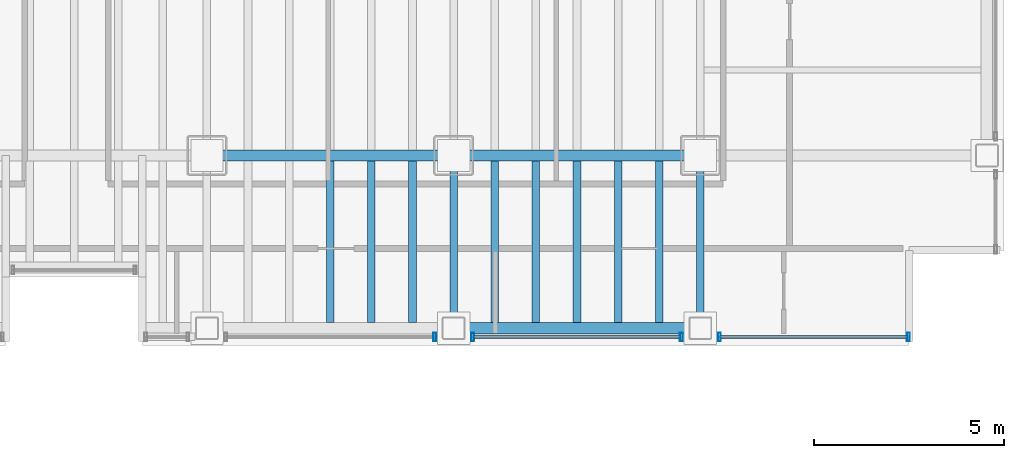
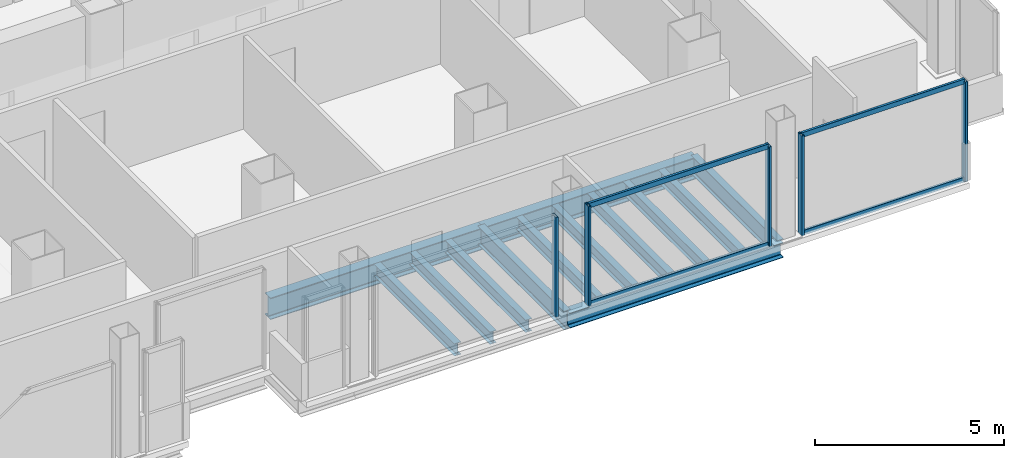
# One storey, part 9 of 21: 13 beams, 9 members, 3 elements without a shape of their own.
"""IFC4 building model written with IfcOpenShell, lengths in metres."""

from ifc_helpers import new_model, si_unit, direction, frame, origin, origin_2d, place, context, subcontext, project, spatial, hollow_rectangle, i_section, extrude, material, material_profile, profile_set, type_object, element, aggregate, save


model = new_model("IFC4")

# Units and contexts
model_context = context("Model", 3, precision=1e-05, world=origin(), true_north=direction((0.0, 1.0)))
body_context = subcontext(model_context, "Body", "Model", "MODEL_VIEW")
ifc_project = project(units=[si_unit("LENGTHUNIT", "METRE"), si_unit("AREAUNIT", "SQUARE_METRE"), si_unit("VOLUMEUNIT", "CUBIC_METRE"), si_unit("PLANEANGLEUNIT", "RADIAN"), si_unit("MASSUNIT", "GRAM", prefix="KILO")], contexts=[model_context])

# Site, building, storey
site_placement = place(None, origin())
site = spatial("IfcSite", under=ifc_project, at=site_placement, CompositionType="ELEMENT")
building_placement = place(site_placement, origin())
building = spatial("IfcBuilding", under=site, at=building_placement, Name="Noeulbin Bourse Tower", CompositionType="ELEMENT")
storey_placement = place(building_placement, frame((0.0, 0.0, 34.300048828125)))
storey = spatial("IfcBuildingStorey", under=building, at=storey_placement, Name="L08", CompositionType="ELEMENT", Elevation=34.300048828125)

# Beams
ifc_material_1 = material(Name="Steel S355", Category="steel")
ifc_material_profile_1 = material_profile(ifc_material_1, i_section(OverallWidth=0.199951171875, OverallDepth=0.60009765625, WebThickness=0.010986328125, FlangeThickness=0.01708984375, FilletRadius=0.02197265625, at=origin_2d()), Name="H-600x200x11x17", Category="LoadBearing")
ifc_profile_set_1 = profile_set([ifc_material_profile_1], Name="Steel S355")
beam_type_1 = type_object("IfcBeamType", Name="BM-GRD-600", PredefinedType="USERDEFINED", material=ifc_profile_set_1)
for number, where, z_axis, x_axis, name in (
    (1, (37.5, 15.449951171875, -0.47998046875), (0.0, 1.0, 0.0), (-1.0, 0.0, 0.0), "Tower Primary Girder NS L08-4.1"),
    (2, (44.0, 15.449951171875, -0.47998046875), (0.0, 1.0, 0.0), (-1.0, 0.0, 0.0), "Tower Primary Girder NS L08-5.1"),
):
    element("IfcBeam", number, at=place(storey_placement, frame(where, z_axis=z_axis, x_axis=x_axis)), inside=storey, type_object=beam_type_1, Name=name, ObjectType="GIRDER", PredefinedType="USERDEFINED", context=body_context, shape_type="SweptSolid", body=[
        extrude(i_section(OverallWidth=0.199951171875, OverallDepth=0.60009765625, WebThickness=0.010986328125, FlangeThickness=0.01708984375, FilletRadius=0.02197265625, at=origin_2d()), origin(), (0.0, 0.0, 1.0), 4.550048828125),
    ])
ifc_material_profile_2 = material_profile(ifc_material_1, i_section(OverallWidth=0.300048828125, OverallDepth=0.699951171875, WebThickness=0.012939453125, FlangeThickness=0.02392578125, FilletRadius=0.02392578125, at=origin_2d()), Name="H-700x300x13x24", Category="LoadBearing")
ifc_profile_set_2 = profile_set([ifc_material_profile_2], Name="Steel S355")
beam_type_2 = type_object("IfcBeamType", Name="BM-GRD-700", PredefinedType="USERDEFINED", material=ifc_profile_set_2)
for number, where, z_axis, x_axis, name in (
    (3, (31.0, 20.0, -0.530029296875), (1.0, 0.0, 0.0), (0.0, 1.0, 0.0), "Tower Primary Girder EW L08-1.4"),
    (4, (37.5, 20.0, -0.530029296875), (1.0, 0.0, 0.0), (0.0, 1.0, 0.0), "Tower Primary Girder EW L08-1.5"),
):
    element("IfcBeam", number, at=place(storey_placement, frame(where, z_axis=z_axis, x_axis=x_axis)), inside=storey, type_object=beam_type_2, Name=name, ObjectType="GIRDER", PredefinedType="USERDEFINED", context=body_context, shape_type="SweptSolid", body=[
        extrude(i_section(OverallWidth=0.300048828125, OverallDepth=0.699951171875, WebThickness=0.012939453125, FlangeThickness=0.02392578125, FilletRadius=0.02392578125, at=origin_2d()), origin(), (0.0, 0.0, 1.0), 6.5),
    ])
ifc_material_profile_3 = material_profile(ifc_material_1, i_section(OverallWidth=0.199951171875, OverallDepth=0.39990234375, WebThickness=0.008056640625, FlangeThickness=0.012939453125, FilletRadius=0.01611328125, at=origin_2d()), Name="H-400x200x8x13", Category="LoadBearing")
ifc_profile_set_3 = profile_set([ifc_material_profile_3], Name="Steel S355")
beam_type_3 = type_object("IfcBeamType", Name="BM-SEC-400", PredefinedType="BEAM", material=ifc_profile_set_3)
for number, where, z_axis, x_axis, name in (
    (5, (34.25, 15.60009765625, -0.380126953125), (0.0, 1.0, 0.0), (-1.0, 0.0, 0.0), "Tower Composite Joist L08-45"),
    (6, (35.333251953125, 15.60009765625, -0.380126953125), (0.0, 1.0, 0.0), (-1.0, 0.0, 0.0), "Tower Composite Joist L08-48"),
    (7, (36.416748046875, 15.60009765625, -0.380126953125), (0.0, 1.0, 0.0), (-1.0, 0.0, 0.0), "Tower Composite Joist L08-51"),
    (8, (38.583251953125, 15.60009765625, -0.380126953125), (0.0, 1.0, 0.0), (-1.0, 0.0, 0.0), "Tower Composite Joist L08-54"),
    (9, (39.666748046875, 15.60009765625, -0.380126953125), (0.0, 1.0, 0.0), (-1.0, 0.0, 0.0), "Tower Composite Joist L08-57"),
    (10, (40.75, 15.60009765625, -0.380126953125), (0.0, 1.0, 0.0), (-1.0, 0.0, 0.0), "Tower Composite Joist L08-60"),
    (11, (41.833251953125, 15.60009765625, -0.380126953125), (0.0, 1.0, 0.0), (-1.0, 0.0, 0.0), "Tower Composite Joist L08-63"),
    (12, (42.916748046875, 15.60009765625, -0.380126953125), (0.0, 1.0, 0.0), (-1.0, 0.0, 0.0), "Tower Composite Joist L08-66"),
):
    element("IfcBeam", number, at=place(storey_placement, frame(where, z_axis=z_axis, x_axis=x_axis)), inside=storey, type_object=beam_type_3, Name=name, PredefinedType="BEAM", context=body_context, shape_type="SweptSolid", body=[
        extrude(i_section(OverallWidth=0.199951171875, OverallDepth=0.39990234375, WebThickness=0.008056640625, FlangeThickness=0.012939453125, FilletRadius=0.01611328125, at=origin_2d()), origin(), (0.0, 0.0, 1.0), 4.25),
    ])
ifc_material_profile_4 = material_profile(ifc_material_1, i_section(OverallWidth=0.300048828125, OverallDepth=0.488037109375, WebThickness=0.010986328125, FlangeThickness=0.01806640625, FilletRadius=0.02197265625, at=origin_2d()), Name="H-488x300x11x18", Category="LoadBearing")
ifc_profile_set_4 = profile_set([ifc_material_profile_4], Name="Steel S355")
beam_type_4 = type_object("IfcBeamType", Name="BM-SPN-488", PredefinedType="SPANDREL", material=ifc_profile_set_4)
beam_placement = place(storey_placement, frame((37.5, 15.449951171875, -0.424072265625), z_axis=(1.0, 0.0, 0.0), x_axis=(0.0, 1.0, 0.0)))
element("IfcBeam", 13, at=beam_placement, inside=storey, type_object=beam_type_4, Name="South Spandrel L08-4", PredefinedType="SPANDREL", context=body_context, shape_type="SweptSolid", body=[
    extrude(i_section(OverallWidth=0.300048828125, OverallDepth=0.488037109375, WebThickness=0.010986328125, FlangeThickness=0.01806640625, FilletRadius=0.02197265625, at=origin_2d()), origin(), (0.0, 0.0, 1.0), 6.5),
])

# Curtain wall, member
ifc_material_2 = material(Name="Dark Solar-Control Double Glazing", Category="glass")
curtain_wall_type = type_object("IfcCurtainWallType", Name="CW-SYS-2", PredefinedType="NOTDEFINED", material=ifc_material_2)
curtain_wall_1_placement = place(storey_placement, origin())
curtain_wall_1 = element("IfcCurtainWall", 14, at=curtain_wall_1_placement, inside=storey, type_object=curtain_wall_type, Name="Unitised Curtain Wall CW-L08-S3-S2", PredefinedType="NOTDEFINED")
ifc_material_3 = material(Name="Anodised Aluminium 6063-T6", Category="aluminium")
ifc_material_profile_5 = material_profile(ifc_material_3, hollow_rectangle(XDim=0.074951171875, YDim=0.219970703125, WallThickness=0.0048828125, InnerFilletRadius=0.00244140625, OuterFilletRadius=0.0048828125, at=origin_2d()), Name="ALU-MULL-75x220x5", Category="LoadBearing")
ifc_profile_set_5 = profile_set([ifc_material_profile_5], Name="Anodised Aluminium 6063-T6")
member_type_1 = type_object("IfcMemberType", Name="CW-SYS-2-MUL", PredefinedType="MULLION", material=ifc_profile_set_5)
member_1_placement = place(storey_placement, frame((37.0, 15.219970703125, -0.02001953125), z_axis=(0.0, 0.0, 1.0), x_axis=(1.0, 0.0, 0.0)))
member_1 = element("IfcMember", 15, at=member_1_placement, type_object=member_type_1, Name="Curtain Wall Mullion CW-L08-S3-S2-M01", PredefinedType="MULLION", context=body_context, shape_type="SweptSolid", body=[
    extrude(hollow_rectangle(XDim=0.074951171875, YDim=0.219970703125, WallThickness=0.0048828125, InnerFilletRadius=0.00244140625, OuterFilletRadius=0.0048828125, at=origin_2d()), origin(), (0.0, 0.0, 1.0), 3.219970703125),
])
aggregate(curtain_wall_1, [member_1])

# Curtain wall, members
curtain_wall_2_placement = place(storey_placement, origin())
curtain_wall_2 = element("IfcCurtainWall", 16, at=curtain_wall_2_placement, inside=storey, type_object=curtain_wall_type, Name="Unitised Curtain Wall CW-L08-S3-S3", PredefinedType="NOTDEFINED")
member_2_placement = place(storey_placement, frame((38.0, 15.219970703125, -0.02001953125), z_axis=(0.0, 0.0, 1.0), x_axis=(1.0, 0.0, 0.0)))
member_2 = element("IfcMember", 17, at=member_2_placement, type_object=member_type_1, Name="Curtain Wall Mullion CW-L08-S3-S3-M00", PredefinedType="MULLION", context=body_context, shape_type="SweptSolid", body=[
    extrude(hollow_rectangle(XDim=0.074951171875, YDim=0.219970703125, WallThickness=0.0048828125, InnerFilletRadius=0.00244140625, OuterFilletRadius=0.0048828125, at=origin_2d()), origin(), (0.0, 0.0, 1.0), 3.219970703125),
])
member_3_placement = place(storey_placement, frame((43.5, 15.219970703125, -0.02001953125), z_axis=(0.0, 0.0, 1.0), x_axis=(1.0, 0.0, 0.0)))
member_3 = element("IfcMember", 18, at=member_3_placement, type_object=member_type_1, Name="Curtain Wall Mullion CW-L08-S3-S3-M01", PredefinedType="MULLION", context=body_context, shape_type="SweptSolid", body=[
    extrude(hollow_rectangle(XDim=0.074951171875, YDim=0.219970703125, WallThickness=0.0048828125, InnerFilletRadius=0.00244140625, OuterFilletRadius=0.0048828125, at=origin_2d()), origin(), (0.0, 0.0, 1.0), 3.219970703125),
])

curtain_wall_3_placement = place(storey_placement, origin())
curtain_wall_3 = element("IfcCurtainWall", 19, at=curtain_wall_3_placement, inside=storey, type_object=curtain_wall_type, Name="Unitised Curtain Wall CW-L08-S3-S4", PredefinedType="NOTDEFINED")
member_4_placement = place(storey_placement, frame((44.5, 15.219970703125, -0.02001953125), z_axis=(0.0, 0.0, 1.0), x_axis=(1.0, 0.0, 0.0)))
member_4 = element("IfcMember", 20, at=member_4_placement, type_object=member_type_1, Name="Curtain Wall Mullion CW-L08-S3-S4-M00", PredefinedType="MULLION", context=body_context, shape_type="SweptSolid", body=[
    extrude(hollow_rectangle(XDim=0.074951171875, YDim=0.219970703125, WallThickness=0.0048828125, InnerFilletRadius=0.00244140625, OuterFilletRadius=0.0048828125, at=origin_2d()), origin(), (0.0, 0.0, 1.0), 3.219970703125),
])
member_5_placement = place(storey_placement, frame((49.47998046875, 15.219970703125, -0.02001953125), z_axis=(0.0, 0.0, 1.0), x_axis=(1.0, 0.0, 0.0)))
member_5 = element("IfcMember", 21, at=member_5_placement, type_object=member_type_1, Name="Curtain Wall Mullion CW-L08-S3-S4-M01", PredefinedType="MULLION", context=body_context, shape_type="SweptSolid", body=[
    extrude(hollow_rectangle(XDim=0.074951171875, YDim=0.219970703125, WallThickness=0.0048828125, InnerFilletRadius=0.00244140625, OuterFilletRadius=0.0048828125, at=origin_2d()), origin(), (0.0, 0.0, 1.0), 3.219970703125),
])

# Member
ifc_material_profile_6 = material_profile(ifc_material_3, hollow_rectangle(XDim=0.074951171875, YDim=0.159912109375, WallThickness=0.0048828125, InnerFilletRadius=0.00244140625, OuterFilletRadius=0.0048828125, at=origin_2d()), Name="ALU-TRAN-75x160x5", Category="LoadBearing")
ifc_profile_set_6 = profile_set([ifc_material_profile_6], Name="Anodised Aluminium 6063-T6")
member_type_2 = type_object("IfcMemberType", Name="CW-SYS-2-TRN", PredefinedType="USERDEFINED", material=ifc_profile_set_6)
member_6_placement = place(storey_placement, frame((38.010009765625, 15.219970703125, 0.010009765625), z_axis=(1.0, 0.0, 0.0), x_axis=(0.0, 1.0, 0.0)))
member_6 = element("IfcMember", 22, at=member_6_placement, type_object=member_type_2, Name="Curtain Wall Transom CW-L08-S3-S3-T00", ObjectType="TRANSOM", PredefinedType="USERDEFINED", context=body_context, shape_type="SweptSolid", body=[
    extrude(hollow_rectangle(XDim=0.074951171875, YDim=0.159912109375, WallThickness=0.0048828125, InnerFilletRadius=0.00244140625, OuterFilletRadius=0.0048828125, at=origin_2d()), origin(), (0.0, 0.0, 1.0), 5.47998046875),
])

member_7_placement = place(storey_placement, frame((38.010009765625, 15.219970703125, 3.169921875), z_axis=(1.0, 0.0, 0.0), x_axis=(0.0, 1.0, 0.0)))
member_7 = element("IfcMember", 23, at=member_7_placement, type_object=member_type_2, Name="Curtain Wall Transom CW-L08-S3-S3-T01", ObjectType="TRANSOM", PredefinedType="USERDEFINED", context=body_context, shape_type="SweptSolid", body=[
    extrude(hollow_rectangle(XDim=0.074951171875, YDim=0.159912109375, WallThickness=0.0048828125, InnerFilletRadius=0.00244140625, OuterFilletRadius=0.0048828125, at=origin_2d()), origin(), (0.0, 0.0, 1.0), 5.47998046875),
])

aggregate(curtain_wall_2, [member_2, member_3, member_6, member_7])

member_8_placement = place(storey_placement, frame((44.510009765625, 15.219970703125, 0.010009765625), z_axis=(1.0, 0.0, 0.0), x_axis=(0.0, 1.0, 0.0)))
member_8 = element("IfcMember", 24, at=member_8_placement, type_object=member_type_2, Name="Curtain Wall Transom CW-L08-S3-S4-T00", ObjectType="TRANSOM", PredefinedType="USERDEFINED", context=body_context, shape_type="SweptSolid", body=[
    extrude(hollow_rectangle(XDim=0.074951171875, YDim=0.159912109375, WallThickness=0.0048828125, InnerFilletRadius=0.00244140625, OuterFilletRadius=0.0048828125, at=origin_2d()), origin(), (0.0, 0.0, 1.0), 4.9599609375),
])

member_9_placement = place(storey_placement, frame((44.510009765625, 15.219970703125, 3.169921875), z_axis=(1.0, 0.0, 0.0), x_axis=(0.0, 1.0, 0.0)))
member_9 = element("IfcMember", 25, at=member_9_placement, type_object=member_type_2, Name="Curtain Wall Transom CW-L08-S3-S4-T01", ObjectType="TRANSOM", PredefinedType="USERDEFINED", context=body_context, shape_type="SweptSolid", body=[
    extrude(hollow_rectangle(XDim=0.074951171875, YDim=0.159912109375, WallThickness=0.0048828125, InnerFilletRadius=0.00244140625, OuterFilletRadius=0.0048828125, at=origin_2d()), origin(), (0.0, 0.0, 1.0), 4.9599609375),
])

aggregate(curtain_wall_3, [member_4, member_5, member_8, member_9])

save(model, "model.ifc")
